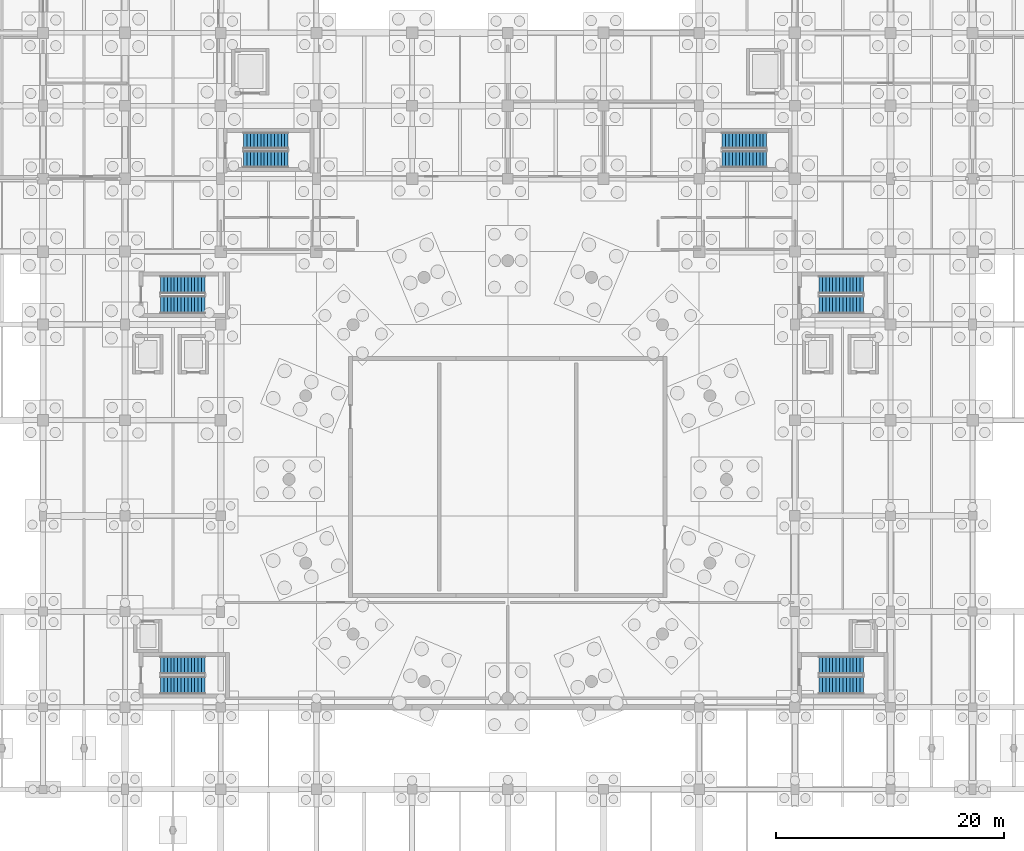
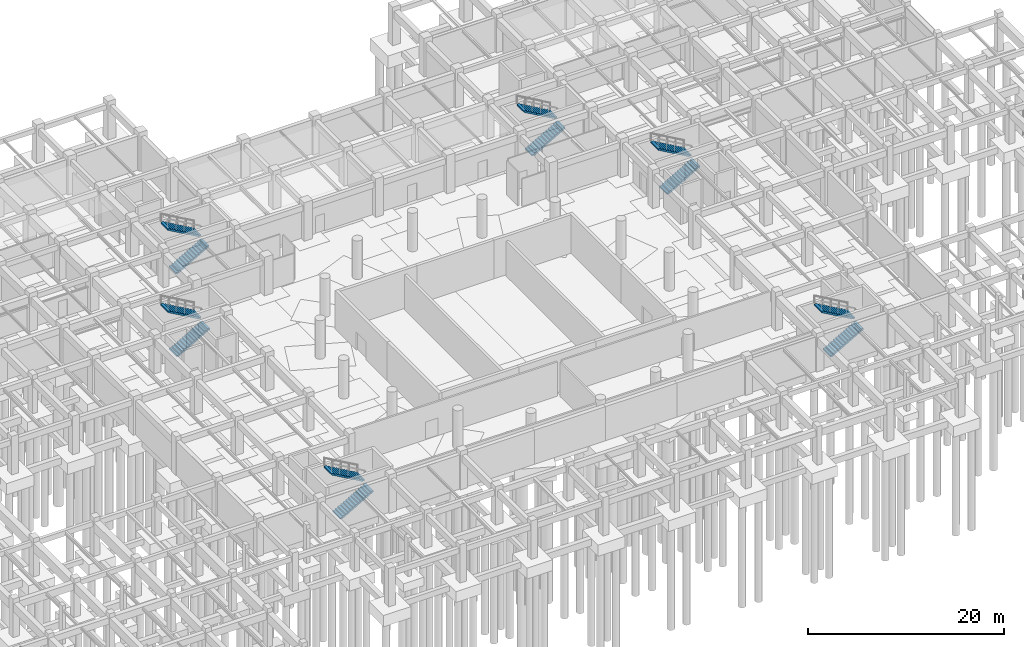
# One storey, part 36 of 44: 12 stair flights, 6 elements without a shape of their own.
"""IFC4 building model written with IfcOpenShell, lengths in metres."""

import ifcopenshell
import ifcopenshell.guid

model = None  # the IFC model being written
_history = None  # IfcOwnerHistory: only IFC2X3 demands one
_inside = {}  # id of a spatial element -> (the spatial element, [elements in it])
_under = {}  # id of a project, library or spatial element -> (it, [spatial elements below it])
_declared = {}  # id of a project -> (the project, [libraries it declares])
_typed = {}  # id of a type object -> (the type object, [elements of that type])
_made_of = {}  # id of a material, layer set ... -> (it, [elements and type objects made of it])


def new_model(schema):
    """Start an empty IFC model of exactly this schema.

    Asked for "IFC4X3", IfcOpenShell would pick the latest addendum, in which some entities
    have other attributes; the version numbers below select the first issue.
    IFC2X3 requires an IfcOwnerHistory on every rooted entity: one is made here for all.
    """
    global model, _history
    if schema == "IFC4X3":
        model = ifcopenshell.file(schema_version=(4, 3, 0, 0))
    else:
        model = ifcopenshell.file(schema=schema)
    _inside.clear()
    _under.clear()
    _declared.clear()
    _typed.clear()
    _made_of.clear()
    _history = None
    if model.schema == "IFC2X3":
        org = make("IfcOrganization", Name="unknown")
        user = make(
            "IfcPersonAndOrganization",
            ThePerson=make("IfcPerson", FamilyName="unknown"),
            TheOrganization=org,
        )
        app = make(
            "IfcApplication",
            ApplicationDeveloper=org,
            Version="unknown",
            ApplicationFullName="unknown",
            ApplicationIdentifier="unknown",
        )
        _history = make(
            "IfcOwnerHistory",
            OwningUser=user,
            OwningApplication=app,
            ChangeAction="ADDED",
            CreationDate=0,
        )
    return model


def make(cls, **values):
    """One entity of the class cls with the attributes given. An attribute that is None is left unset."""
    return model.create_entity(
        cls, **{name: value for name, value in values.items() if value is not None}
    )


def rooted(cls, **values):
    """An entity with a GlobalId (a new one), such as an element, a storey or a relation."""
    return make(cls, GlobalId=ifcopenshell.guid.new(), OwnerHistory=_history, **values)


def si_unit(unit_type, name, prefix=None):
    """IfcSIUnit, for example si_unit("LENGTHUNIT", "METRE", prefix="MILLI")."""
    return make("IfcSIUnit", UnitType=unit_type, Prefix=prefix, Name=name)


def assignment(units):
    """IfcUnitAssignment: the units of a project."""
    return None if units is None else make("IfcUnitAssignment", Units=units)


def point(xyz):
    """IfcCartesianPoint."""
    return None if xyz is None else make("IfcCartesianPoint", Coordinates=xyz)


def direction(xyz):
    """IfcDirection."""
    return None if xyz is None else make("IfcDirection", DirectionRatios=xyz)


def frame(location, z_axis=None, x_axis=None):
    """IfcAxis2Placement3D, a coordinate frame: its origin and axes. An axis left out is left unset."""
    return make(
        "IfcAxis2Placement3D",
        Location=point(location),
        Axis=direction(z_axis),
        RefDirection=direction(x_axis),
    )


def origin():
    """The frame at (0, 0, 0) with its axes left unset."""
    return frame((0.0, 0.0, 0.0))


def place(relative_to, where):
    """IfcLocalPlacement: puts the frame where relative to a parent placement (None: the world)."""
    return make(
        "IfcLocalPlacement", PlacementRelTo=relative_to, RelativePlacement=where
    )


def context(
    kind, dimensions, precision=None, world=None, true_north=None, identifier=None
):
    """IfcGeometricRepresentationContext, for example the 3D "Model" context."""
    return make(
        "IfcGeometricRepresentationContext",
        ContextIdentifier=identifier,
        ContextType=kind,
        CoordinateSpaceDimension=dimensions,
        Precision=precision,
        WorldCoordinateSystem=world,
        TrueNorth=true_north,
    )


def subcontext(parent, identifier, kind, view, scale=None):
    """IfcGeometricRepresentationSubContext, for example "Body" below "Model"."""
    return make(
        "IfcGeometricRepresentationSubContext",
        ContextIdentifier=identifier,
        ContextType=kind,
        ParentContext=parent,
        TargetScale=scale,
        TargetView=view,
    )


def project(units=None, contexts=None):
    """IfcProject with its units and contexts."""
    return rooted(
        "IfcProject",
        Name="project",
        RepresentationContexts=contexts,
        UnitsInContext=assignment(units),
    )


def spatial(cls, under=None, at=None, **own):
    """A site, building, storey or space (cls), placed at a placement, below another one or the project."""
    s = rooted(cls, ObjectPlacement=at, **own)
    if under is not None:
        _under.setdefault(under.id(), (under, []))[1].append(s)
    return s


def polyline(points):
    """IfcPolyline through the points."""
    return make("IfcPolyline", Points=[point(p) for p in points])


def outline(outer, holes=None, kind="AREA"):
    """IfcArbitraryClosedProfileDef: a profile drawn as a closed curve; with holes, ...WithVoids."""
    if holes is None:
        return make("IfcArbitraryClosedProfileDef", ProfileType=kind, OuterCurve=outer)
    return make(
        "IfcArbitraryProfileDefWithVoids",
        ProfileType=kind,
        OuterCurve=outer,
        InnerCurves=holes,
    )


def extrude(swept, where, along, depth):
    """IfcExtrudedAreaSolid: the profile swept, set in the frame where, extruded along a direction by depth."""
    return make(
        "IfcExtrudedAreaSolid",
        SweptArea=swept,
        Position=where,
        ExtrudedDirection=direction(along),
        Depth=depth,
    )


def shape(context_of_items, identifier, shape_type, items):
    """IfcShapeRepresentation: the items that make up one representation, for example the "Body"."""
    return make(
        "IfcShapeRepresentation",
        ContextOfItems=context_of_items,
        RepresentationIdentifier=identifier,
        RepresentationType=shape_type,
        Items=items,
    )


def material(Name=None, Category=None):
    """IfcMaterial."""
    return make("IfcMaterial", Name=Name, Category=Category)


def made_of(thing, what):
    """Note that an element or type object is made of a material, layer set ...; save() writes the relation."""
    if what is not None:
        _made_of.setdefault(what.id(), (what, []))[1].append(thing)
    return thing


def type_object(cls, material=None, **own):
    """A type object (cls), such as IfcWallType, which elements share."""
    return made_of(rooted(cls, **own), material)


def element(
    cls,
    number,
    at=None,
    inside=None,
    cuts=None,
    type_object=None,
    material=None,
    context=None,
    identifier="Body",
    shape_type=None,
    held_by="IfcProductDefinitionShape",
    body=None,
    shapes=None,
    **own,
):
    """One element of the class cls, such as IfcWall. Its Tag is "e" and its number.

    at: its placement. inside: the storey or other place that contains it. cuts: it is an
    opening in that element (IfcRelVoidsElement). A single representation is given by context,
    identifier, shape_type and body (its items); several are given by shapes. held_by: the class
    of the entity that holds the representations. save() writes the other relations.
    """
    e = rooted(cls, Tag="e%d" % number, ObjectPlacement=at, **own)
    if body is not None:
        shapes = [shape(context, identifier, shape_type, body)]
    if shapes is not None:
        e.Representation = make(held_by, Representations=shapes)
    if inside is not None:
        _inside.setdefault(inside.id(), (inside, []))[1].append(e)
    if cuts is not None:
        rooted(
            "IfcRelVoidsElement", RelatingBuildingElement=cuts, RelatedOpeningElement=e
        )
    if type_object is not None:
        _typed.setdefault(type_object.id(), (type_object, []))[1].append(e)
    return made_of(e, material)


def aggregate(whole, parts):
    """IfcRelAggregates: a whole, such as a stair, and the parts it consists of."""
    return rooted("IfcRelAggregates", RelatingObject=whole, RelatedObjects=parts)


def save(model, path):
    """Write the relations noted so far, then the file.

    IfcRelAggregates (storeys below a building ...), IfcRelContainedInSpatialStructure (elements
    in a storey), IfcRelDefinesByType, IfcRelAssociatesMaterial and IfcRelDeclares: one each for
    every whole, place, type object, material and project.
    """
    for whole, parts in _under.values():
        aggregate(whole, parts)
    for where, things in _inside.values():
        rooted(
            "IfcRelContainedInSpatialStructure",
            RelatedElements=things,
            RelatingStructure=where,
        )
    for kind, things in _typed.values():
        rooted("IfcRelDefinesByType", RelatedObjects=things, RelatingType=kind)
    for what, things in _made_of.values():
        rooted("IfcRelAssociatesMaterial", RelatedObjects=things, RelatingMaterial=what)
    for by, libraries in _declared.values():
        rooted("IfcRelDeclares", RelatingContext=by, RelatedDefinitions=libraries)
    model.write(path)


model = new_model("IFC4")

# Units and contexts
model_context = context("Model", 3, precision=1e-05, world=origin(), true_north=direction((0.0, 1.0)))
body_context = subcontext(model_context, "Body", "Model", "MODEL_VIEW")
ifc_project = project(units=[si_unit("LENGTHUNIT", "METRE"), si_unit("AREAUNIT", "SQUARE_METRE"), si_unit("VOLUMEUNIT", "CUBIC_METRE"), si_unit("PLANEANGLEUNIT", "RADIAN"), si_unit("MASSUNIT", "GRAM", prefix="KILO")], contexts=[model_context])

# Site, building, storey
site_placement = place(None, origin())
site = spatial("IfcSite", under=ifc_project, at=site_placement, CompositionType="ELEMENT")
building_placement = place(site_placement, origin())
building = spatial("IfcBuilding", under=site, at=building_placement, Name="Korsvaeld Concert Hall", CompositionType="ELEMENT")
storey_placement = place(building_placement, frame((0.0, 0.0, -4.800048828125)))
storey = spatial("IfcBuildingStorey", under=building, at=storey_placement, Name="B1", CompositionType="ELEMENT", Elevation=-4.800048828125)

# Stair, stair flights
ifc_material = material(Name="Precast concrete C40/50", Category="concrete")
stair_type_1 = type_object("IfcStairType", Name="STR-HT-145-48", PredefinedType="HALF_TURN_STAIR", material=ifc_material)
stair_1_placement = place(storey_placement, origin())
stair_1 = element("IfcStair", 1, at=stair_1_placement, inside=storey, type_object=stair_type_1, Name="B1 ST-K5", PredefinedType="HALF_TURN_STAIR")
stair_flight_type_1 = type_object("IfcStairFlightType", Name="STF-STR-145-48", PredefinedType="STRAIGHT", material=ifc_material)
stair_flight_1_placement = place(storey_placement, frame((60.820068359375, 91.294921875, 0.0), z_axis=(0.0, 0.0, 1.0), x_axis=(1.0, 0.0, 0.0)))
stair_flight_1 = element("IfcStairFlight", 2, at=stair_flight_1_placement, type_object=stair_flight_type_1, Name="ST-K5 flight 1", NumberOfRisers=14, NumberOfTreads=13, PredefinedType="STRAIGHT", RiserHeight=0.171428571, TreadLength=0.3, context=body_context, shape_type="SweptSolid", body=[
    extrude(outline(polyline([(0.0, 0.0), (0.0, 0.17138671875), (0.300048828125, 0.17138671875), (0.300048828125, 0.3427734375), (0.60009765625, 0.3427734375), (0.60009765625, 0.514404296875), (0.89990234375, 0.514404296875), (0.89990234375, 0.685791015625), (1.199951171875, 0.685791015625), (1.199951171875, 0.857177734375), (1.5, 0.857177734375), (1.5, 1.028564453125), (1.800048828125, 1.028564453125), (1.800048828125, 1.199951171875), (2.10009765625, 1.199951171875), (2.10009765625, 1.371337890625), (2.39990234375, 1.371337890625), (2.39990234375, 1.54296875), (2.699951171875, 1.54296875), (2.699951171875, 1.71435546875), (3.0, 1.71435546875), (3.0, 1.8857421875), (3.300048828125, 1.8857421875), (3.300048828125, 2.05712890625), (3.60009765625, 2.05712890625), (3.60009765625, 2.228515625), (3.89990234375, 2.228515625), (3.89990234375, 2.39990234375), (3.89990234375, 2.055908203125), (0.30224609375, 0.0), (0.0, 0.0)])), frame((0.0, 0.72509765625, 0.0), z_axis=(0.0, -1.0, 0.0), x_axis=(1.0, 0.0, 0.0)), (0.0, 0.0, 1.0), 1.449951171875),
])
stair_flight_2_placement = place(storey_placement, frame((64.719970703125, 92.945068359375, 2.400146484375), z_axis=(0.0, 0.0, 1.0), x_axis=(-1.0, 0.0, 0.0)))
stair_flight_2 = element("IfcStairFlight", 3, at=stair_flight_2_placement, type_object=stair_flight_type_1, Name="ST-K5 flight 2", NumberOfRisers=14, NumberOfTreads=13, PredefinedType="STRAIGHT", RiserHeight=0.171428571, TreadLength=0.3, context=body_context, shape_type="SweptSolid", body=[
    extrude(outline(polyline([(0.0, 0.0), (0.0, 0.17138671875), (0.300048828125, 0.17138671875), (0.300048828125, 0.3427734375), (0.60009765625, 0.3427734375), (0.60009765625, 0.514404296875), (0.89990234375, 0.514404296875), (0.89990234375, 0.685791015625), (1.199951171875, 0.685791015625), (1.199951171875, 0.857177734375), (1.5, 0.857177734375), (1.5, 1.028564453125), (1.800048828125, 1.028564453125), (1.800048828125, 1.199951171875), (2.10009765625, 1.199951171875), (2.10009765625, 1.371337890625), (2.39990234375, 1.371337890625), (2.39990234375, 1.54296875), (2.699951171875, 1.54296875), (2.699951171875, 1.71435546875), (3.0, 1.71435546875), (3.0, 1.8857421875), (3.300048828125, 1.8857421875), (3.300048828125, 2.05712890625), (3.60009765625, 2.05712890625), (3.60009765625, 2.228515625), (3.89990234375, 2.228515625), (3.89990234375, 2.39990234375), (3.89990234375, 2.055908203125), (0.30224609375, 0.0), (0.0, 0.0)])), frame((0.0, 0.72509765625, 0.0), z_axis=(0.0, -1.0, 0.0), x_axis=(1.0, 0.0, 0.0)), (0.0, 0.0, 1.0), 1.449951171875),
])
aggregate(stair_1, [stair_flight_1, stair_flight_2])

stair_2_placement = place(storey_placement, origin())
stair_2 = element("IfcStair", 4, at=stair_2_placement, inside=storey, type_object=stair_type_1, Name="B1 ST-K6", PredefinedType="HALF_TURN_STAIR")
stair_flight_3_placement = place(storey_placement, frame((102.820068359375, 91.294921875, 0.0), z_axis=(0.0, 0.0, 1.0), x_axis=(1.0, 0.0, 0.0)))
stair_flight_3 = element("IfcStairFlight", 5, at=stair_flight_3_placement, type_object=stair_flight_type_1, Name="ST-K6 flight 1", NumberOfRisers=14, NumberOfTreads=13, PredefinedType="STRAIGHT", RiserHeight=0.171428571, TreadLength=0.3, context=body_context, shape_type="SweptSolid", body=[
    extrude(outline(polyline([(0.0, 0.0), (0.0, 0.17138671875), (0.300048828125, 0.17138671875), (0.300048828125, 0.3427734375), (0.60009765625, 0.3427734375), (0.60009765625, 0.514404296875), (0.89990234375, 0.514404296875), (0.89990234375, 0.685791015625), (1.199951171875, 0.685791015625), (1.199951171875, 0.857177734375), (1.5, 0.857177734375), (1.5, 1.028564453125), (1.800048828125, 1.028564453125), (1.800048828125, 1.199951171875), (2.10009765625, 1.199951171875), (2.10009765625, 1.371337890625), (2.39990234375, 1.371337890625), (2.39990234375, 1.54296875), (2.699951171875, 1.54296875), (2.699951171875, 1.71435546875), (3.0, 1.71435546875), (3.0, 1.8857421875), (3.300048828125, 1.8857421875), (3.300048828125, 2.05712890625), (3.60009765625, 2.05712890625), (3.60009765625, 2.228515625), (3.89990234375, 2.228515625), (3.89990234375, 2.39990234375), (3.89990234375, 2.055908203125), (0.30224609375, 0.0), (0.0, 0.0)])), frame((0.0, 0.72509765625, 0.0), z_axis=(0.0, -1.0, 0.0), x_axis=(1.0, 0.0, 0.0)), (0.0, 0.0, 1.0), 1.449951171875),
])
stair_flight_4_placement = place(storey_placement, frame((106.719970703125, 92.945068359375, 2.400146484375), z_axis=(0.0, 0.0, 1.0), x_axis=(-1.0, 0.0, 0.0)))
stair_flight_4 = element("IfcStairFlight", 6, at=stair_flight_4_placement, type_object=stair_flight_type_1, Name="ST-K6 flight 2", NumberOfRisers=14, NumberOfTreads=13, PredefinedType="STRAIGHT", RiserHeight=0.171428571, TreadLength=0.3, context=body_context, shape_type="SweptSolid", body=[
    extrude(outline(polyline([(0.0, 0.0), (0.0, 0.17138671875), (0.300048828125, 0.17138671875), (0.300048828125, 0.3427734375), (0.60009765625, 0.3427734375), (0.60009765625, 0.514404296875), (0.89990234375, 0.514404296875), (0.89990234375, 0.685791015625), (1.199951171875, 0.685791015625), (1.199951171875, 0.857177734375), (1.5, 0.857177734375), (1.5, 1.028564453125), (1.800048828125, 1.028564453125), (1.800048828125, 1.199951171875), (2.10009765625, 1.199951171875), (2.10009765625, 1.371337890625), (2.39990234375, 1.371337890625), (2.39990234375, 1.54296875), (2.699951171875, 1.54296875), (2.699951171875, 1.71435546875), (3.0, 1.71435546875), (3.0, 1.8857421875), (3.300048828125, 1.8857421875), (3.300048828125, 2.05712890625), (3.60009765625, 2.05712890625), (3.60009765625, 2.228515625), (3.89990234375, 2.228515625), (3.89990234375, 2.39990234375), (3.89990234375, 2.055908203125), (0.30224609375, 0.0), (0.0, 0.0)])), frame((0.0, 0.72509765625, 0.0), z_axis=(0.0, -1.0, 0.0), x_axis=(1.0, 0.0, 0.0)), (0.0, 0.0, 1.0), 1.449951171875),
])
aggregate(stair_2, [stair_flight_3, stair_flight_4])

stair_type_2 = type_object("IfcStairType", Name="STR-HT-155-48", PredefinedType="HALF_TURN_STAIR", material=ifc_material)
stair_3_placement = place(storey_placement, origin())
stair_3 = element("IfcStair", 7, at=stair_3_placement, inside=storey, type_object=stair_type_2, Name="B1 ST-K1", PredefinedType="HALF_TURN_STAIR")
stair_flight_type_2 = type_object("IfcStairFlightType", Name="STF-STR-155-48", PredefinedType="STRAIGHT", material=ifc_material)
stair_flight_5_placement = place(storey_placement, frame((53.52001953125, 78.544921875, 0.0), z_axis=(0.0, 0.0, 1.0), x_axis=(1.0, 0.0, 0.0)))
stair_flight_5 = element("IfcStairFlight", 8, at=stair_flight_5_placement, type_object=stair_flight_type_2, Name="ST-K1 flight 1", NumberOfRisers=14, NumberOfTreads=13, PredefinedType="STRAIGHT", RiserHeight=0.171428571, TreadLength=0.3, context=body_context, shape_type="SweptSolid", body=[
    extrude(outline(polyline([(0.0, 0.0), (0.0, 0.17138671875), (0.300048828125, 0.17138671875), (0.300048828125, 0.3427734375), (0.60009765625, 0.3427734375), (0.60009765625, 0.514404296875), (0.89990234375, 0.514404296875), (0.89990234375, 0.685791015625), (1.199951171875, 0.685791015625), (1.199951171875, 0.857177734375), (1.5, 0.857177734375), (1.5, 1.028564453125), (1.800048828125, 1.028564453125), (1.800048828125, 1.199951171875), (2.10009765625, 1.199951171875), (2.10009765625, 1.371337890625), (2.39990234375, 1.371337890625), (2.39990234375, 1.54296875), (2.699951171875, 1.54296875), (2.699951171875, 1.71435546875), (3.0, 1.71435546875), (3.0, 1.8857421875), (3.300048828125, 1.8857421875), (3.300048828125, 2.05712890625), (3.60009765625, 2.05712890625), (3.60009765625, 2.228515625), (3.89990234375, 2.228515625), (3.89990234375, 2.39990234375), (3.89990234375, 2.055908203125), (0.30224609375, 0.0), (0.0, 0.0)])), frame((0.0, 0.77490234375, 0.0), z_axis=(0.0, -1.0, 0.0), x_axis=(1.0, 0.0, 0.0)), (0.0, 0.0, 1.0), 1.550048828125),
])
stair_flight_6_placement = place(storey_placement, frame((57.419921875, 80.294921875, 2.400146484375), z_axis=(0.0, 0.0, 1.0), x_axis=(-1.0, 0.0, 0.0)))
stair_flight_6 = element("IfcStairFlight", 9, at=stair_flight_6_placement, type_object=stair_flight_type_2, Name="ST-K1 flight 2", NumberOfRisers=14, NumberOfTreads=13, PredefinedType="STRAIGHT", RiserHeight=0.171428571, TreadLength=0.3, context=body_context, shape_type="SweptSolid", body=[
    extrude(outline(polyline([(0.0, 0.0), (0.0, 0.17138671875), (0.300048828125, 0.17138671875), (0.300048828125, 0.3427734375), (0.60009765625, 0.3427734375), (0.60009765625, 0.514404296875), (0.89990234375, 0.514404296875), (0.89990234375, 0.685791015625), (1.199951171875, 0.685791015625), (1.199951171875, 0.857177734375), (1.5, 0.857177734375), (1.5, 1.028564453125), (1.800048828125, 1.028564453125), (1.800048828125, 1.199951171875), (2.10009765625, 1.199951171875), (2.10009765625, 1.371337890625), (2.39990234375, 1.371337890625), (2.39990234375, 1.54296875), (2.699951171875, 1.54296875), (2.699951171875, 1.71435546875), (3.0, 1.71435546875), (3.0, 1.8857421875), (3.300048828125, 1.8857421875), (3.300048828125, 2.05712890625), (3.60009765625, 2.05712890625), (3.60009765625, 2.228515625), (3.89990234375, 2.228515625), (3.89990234375, 2.39990234375), (3.89990234375, 2.055908203125), (0.30224609375, 0.0), (0.0, 0.0)])), frame((0.0, 0.77490234375, 0.0), z_axis=(0.0, -1.0, 0.0), x_axis=(1.0, 0.0, 0.0)), (0.0, 0.0, 1.0), 1.550048828125),
])
aggregate(stair_3, [stair_flight_5, stair_flight_6])

stair_4_placement = place(storey_placement, origin())
stair_4 = element("IfcStair", 10, at=stair_4_placement, inside=storey, type_object=stair_type_2, Name="B1 ST-K2", PredefinedType="HALF_TURN_STAIR")
stair_flight_7_placement = place(storey_placement, frame((111.320068359375, 78.544921875, 0.0), z_axis=(0.0, 0.0, 1.0), x_axis=(1.0, 0.0, 0.0)))
stair_flight_7 = element("IfcStairFlight", 11, at=stair_flight_7_placement, type_object=stair_flight_type_2, Name="ST-K2 flight 1", NumberOfRisers=14, NumberOfTreads=13, PredefinedType="STRAIGHT", RiserHeight=0.171428571, TreadLength=0.3, context=body_context, shape_type="SweptSolid", body=[
    extrude(outline(polyline([(0.0, 0.0), (0.0, 0.17138671875), (0.300048828125, 0.17138671875), (0.300048828125, 0.3427734375), (0.60009765625, 0.3427734375), (0.60009765625, 0.514404296875), (0.89990234375, 0.514404296875), (0.89990234375, 0.685791015625), (1.199951171875, 0.685791015625), (1.199951171875, 0.857177734375), (1.5, 0.857177734375), (1.5, 1.028564453125), (1.800048828125, 1.028564453125), (1.800048828125, 1.199951171875), (2.10009765625, 1.199951171875), (2.10009765625, 1.371337890625), (2.39990234375, 1.371337890625), (2.39990234375, 1.54296875), (2.699951171875, 1.54296875), (2.699951171875, 1.71435546875), (3.0, 1.71435546875), (3.0, 1.8857421875), (3.300048828125, 1.8857421875), (3.300048828125, 2.05712890625), (3.60009765625, 2.05712890625), (3.60009765625, 2.228515625), (3.89990234375, 2.228515625), (3.89990234375, 2.39990234375), (3.89990234375, 2.055908203125), (0.30224609375, 0.0), (0.0, 0.0)])), frame((0.0, 0.77490234375, 0.0), z_axis=(0.0, -1.0, 0.0), x_axis=(1.0, 0.0, 0.0)), (0.0, 0.0, 1.0), 1.550048828125),
])
stair_flight_8_placement = place(storey_placement, frame((115.219970703125, 80.294921875, 2.400146484375), z_axis=(0.0, 0.0, 1.0), x_axis=(-1.0, 0.0, 0.0)))
stair_flight_8 = element("IfcStairFlight", 12, at=stair_flight_8_placement, type_object=stair_flight_type_2, Name="ST-K2 flight 2", NumberOfRisers=14, NumberOfTreads=13, PredefinedType="STRAIGHT", RiserHeight=0.171428571, TreadLength=0.3, context=body_context, shape_type="SweptSolid", body=[
    extrude(outline(polyline([(0.0, 0.0), (0.0, 0.17138671875), (0.300048828125, 0.17138671875), (0.300048828125, 0.3427734375), (0.60009765625, 0.3427734375), (0.60009765625, 0.514404296875), (0.89990234375, 0.514404296875), (0.89990234375, 0.685791015625), (1.199951171875, 0.685791015625), (1.199951171875, 0.857177734375), (1.5, 0.857177734375), (1.5, 1.028564453125), (1.800048828125, 1.028564453125), (1.800048828125, 1.199951171875), (2.10009765625, 1.199951171875), (2.10009765625, 1.371337890625), (2.39990234375, 1.371337890625), (2.39990234375, 1.54296875), (2.699951171875, 1.54296875), (2.699951171875, 1.71435546875), (3.0, 1.71435546875), (3.0, 1.8857421875), (3.300048828125, 1.8857421875), (3.300048828125, 2.05712890625), (3.60009765625, 2.05712890625), (3.60009765625, 2.228515625), (3.89990234375, 2.228515625), (3.89990234375, 2.39990234375), (3.89990234375, 2.055908203125), (0.30224609375, 0.0), (0.0, 0.0)])), frame((0.0, 0.77490234375, 0.0), z_axis=(0.0, -1.0, 0.0), x_axis=(1.0, 0.0, 0.0)), (0.0, 0.0, 1.0), 1.550048828125),
])
aggregate(stair_4, [stair_flight_7, stair_flight_8])

stair_5_placement = place(storey_placement, origin())
stair_5 = element("IfcStair", 13, at=stair_5_placement, inside=storey, type_object=stair_type_2, Name="B1 ST-K3", PredefinedType="HALF_TURN_STAIR")
stair_flight_9_placement = place(storey_placement, frame((53.52001953125, 45.14501953125, 0.0), z_axis=(0.0, 0.0, 1.0), x_axis=(1.0, 0.0, 0.0)))
stair_flight_9 = element("IfcStairFlight", 14, at=stair_flight_9_placement, type_object=stair_flight_type_2, Name="ST-K3 flight 1", NumberOfRisers=14, NumberOfTreads=13, PredefinedType="STRAIGHT", RiserHeight=0.171428571, TreadLength=0.3, context=body_context, shape_type="SweptSolid", body=[
    extrude(outline(polyline([(0.0, 0.0), (0.0, 0.17138671875), (0.300048828125, 0.17138671875), (0.300048828125, 0.3427734375), (0.60009765625, 0.3427734375), (0.60009765625, 0.514404296875), (0.89990234375, 0.514404296875), (0.89990234375, 0.685791015625), (1.199951171875, 0.685791015625), (1.199951171875, 0.857177734375), (1.5, 0.857177734375), (1.5, 1.028564453125), (1.800048828125, 1.028564453125), (1.800048828125, 1.199951171875), (2.10009765625, 1.199951171875), (2.10009765625, 1.371337890625), (2.39990234375, 1.371337890625), (2.39990234375, 1.54296875), (2.699951171875, 1.54296875), (2.699951171875, 1.71435546875), (3.0, 1.71435546875), (3.0, 1.8857421875), (3.300048828125, 1.8857421875), (3.300048828125, 2.05712890625), (3.60009765625, 2.05712890625), (3.60009765625, 2.228515625), (3.89990234375, 2.228515625), (3.89990234375, 2.39990234375), (3.89990234375, 2.055908203125), (0.30224609375, 0.0), (0.0, 0.0)])), frame((0.0, 0.77490234375, 0.0), z_axis=(0.0, -1.0, 0.0), x_axis=(1.0, 0.0, 0.0)), (0.0, 0.0, 1.0), 1.550048828125),
])
stair_flight_10_placement = place(storey_placement, frame((57.419921875, 46.89501953125, 2.400146484375), z_axis=(0.0, 0.0, 1.0), x_axis=(-1.0, 0.0, 0.0)))
stair_flight_10 = element("IfcStairFlight", 15, at=stair_flight_10_placement, type_object=stair_flight_type_2, Name="ST-K3 flight 2", NumberOfRisers=14, NumberOfTreads=13, PredefinedType="STRAIGHT", RiserHeight=0.171428571, TreadLength=0.3, context=body_context, shape_type="SweptSolid", body=[
    extrude(outline(polyline([(0.0, 0.0), (0.0, 0.17138671875), (0.300048828125, 0.17138671875), (0.300048828125, 0.3427734375), (0.60009765625, 0.3427734375), (0.60009765625, 0.514404296875), (0.89990234375, 0.514404296875), (0.89990234375, 0.685791015625), (1.199951171875, 0.685791015625), (1.199951171875, 0.857177734375), (1.5, 0.857177734375), (1.5, 1.028564453125), (1.800048828125, 1.028564453125), (1.800048828125, 1.199951171875), (2.10009765625, 1.199951171875), (2.10009765625, 1.371337890625), (2.39990234375, 1.371337890625), (2.39990234375, 1.54296875), (2.699951171875, 1.54296875), (2.699951171875, 1.71435546875), (3.0, 1.71435546875), (3.0, 1.8857421875), (3.300048828125, 1.8857421875), (3.300048828125, 2.05712890625), (3.60009765625, 2.05712890625), (3.60009765625, 2.228515625), (3.89990234375, 2.228515625), (3.89990234375, 2.39990234375), (3.89990234375, 2.055908203125), (0.30224609375, 0.0), (0.0, 0.0)])), frame((0.0, 0.77490234375, 0.0), z_axis=(0.0, -1.0, 0.0), x_axis=(1.0, 0.0, 0.0)), (0.0, 0.0, 1.0), 1.550048828125),
])
aggregate(stair_5, [stair_flight_9, stair_flight_10])

stair_6_placement = place(storey_placement, origin())
stair_6 = element("IfcStair", 16, at=stair_6_placement, inside=storey, type_object=stair_type_2, Name="B1 ST-K4", PredefinedType="HALF_TURN_STAIR")
stair_flight_11_placement = place(storey_placement, frame((111.320068359375, 45.14501953125, 0.0), z_axis=(0.0, 0.0, 1.0), x_axis=(1.0, 0.0, 0.0)))
stair_flight_11 = element("IfcStairFlight", 17, at=stair_flight_11_placement, type_object=stair_flight_type_2, Name="ST-K4 flight 1", NumberOfRisers=14, NumberOfTreads=13, PredefinedType="STRAIGHT", RiserHeight=0.171428571, TreadLength=0.3, context=body_context, shape_type="SweptSolid", body=[
    extrude(outline(polyline([(0.0, 0.0), (0.0, 0.17138671875), (0.300048828125, 0.17138671875), (0.300048828125, 0.3427734375), (0.60009765625, 0.3427734375), (0.60009765625, 0.514404296875), (0.89990234375, 0.514404296875), (0.89990234375, 0.685791015625), (1.199951171875, 0.685791015625), (1.199951171875, 0.857177734375), (1.5, 0.857177734375), (1.5, 1.028564453125), (1.800048828125, 1.028564453125), (1.800048828125, 1.199951171875), (2.10009765625, 1.199951171875), (2.10009765625, 1.371337890625), (2.39990234375, 1.371337890625), (2.39990234375, 1.54296875), (2.699951171875, 1.54296875), (2.699951171875, 1.71435546875), (3.0, 1.71435546875), (3.0, 1.8857421875), (3.300048828125, 1.8857421875), (3.300048828125, 2.05712890625), (3.60009765625, 2.05712890625), (3.60009765625, 2.228515625), (3.89990234375, 2.228515625), (3.89990234375, 2.39990234375), (3.89990234375, 2.055908203125), (0.30224609375, 0.0), (0.0, 0.0)])), frame((0.0, 0.77490234375, 0.0), z_axis=(0.0, -1.0, 0.0), x_axis=(1.0, 0.0, 0.0)), (0.0, 0.0, 1.0), 1.550048828125),
])
stair_flight_12_placement = place(storey_placement, frame((115.219970703125, 46.89501953125, 2.400146484375), z_axis=(0.0, 0.0, 1.0), x_axis=(-1.0, 0.0, 0.0)))
stair_flight_12 = element("IfcStairFlight", 18, at=stair_flight_12_placement, type_object=stair_flight_type_2, Name="ST-K4 flight 2", NumberOfRisers=14, NumberOfTreads=13, PredefinedType="STRAIGHT", RiserHeight=0.171428571, TreadLength=0.3, context=body_context, shape_type="SweptSolid", body=[
    extrude(outline(polyline([(0.0, 0.0), (0.0, 0.17138671875), (0.300048828125, 0.17138671875), (0.300048828125, 0.3427734375), (0.60009765625, 0.3427734375), (0.60009765625, 0.514404296875), (0.89990234375, 0.514404296875), (0.89990234375, 0.685791015625), (1.199951171875, 0.685791015625), (1.199951171875, 0.857177734375), (1.5, 0.857177734375), (1.5, 1.028564453125), (1.800048828125, 1.028564453125), (1.800048828125, 1.199951171875), (2.10009765625, 1.199951171875), (2.10009765625, 1.371337890625), (2.39990234375, 1.371337890625), (2.39990234375, 1.54296875), (2.699951171875, 1.54296875), (2.699951171875, 1.71435546875), (3.0, 1.71435546875), (3.0, 1.8857421875), (3.300048828125, 1.8857421875), (3.300048828125, 2.05712890625), (3.60009765625, 2.05712890625), (3.60009765625, 2.228515625), (3.89990234375, 2.228515625), (3.89990234375, 2.39990234375), (3.89990234375, 2.055908203125), (0.30224609375, 0.0), (0.0, 0.0)])), frame((0.0, 0.77490234375, 0.0), z_axis=(0.0, -1.0, 0.0), x_axis=(1.0, 0.0, 0.0)), (0.0, 0.0, 1.0), 1.550048828125),
])
aggregate(stair_6, [stair_flight_11, stair_flight_12])

save(model, "model.ifc")
